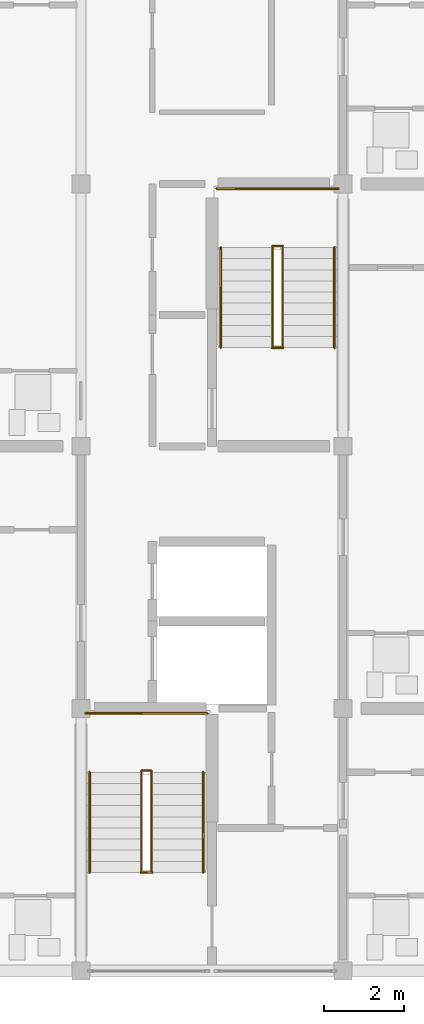
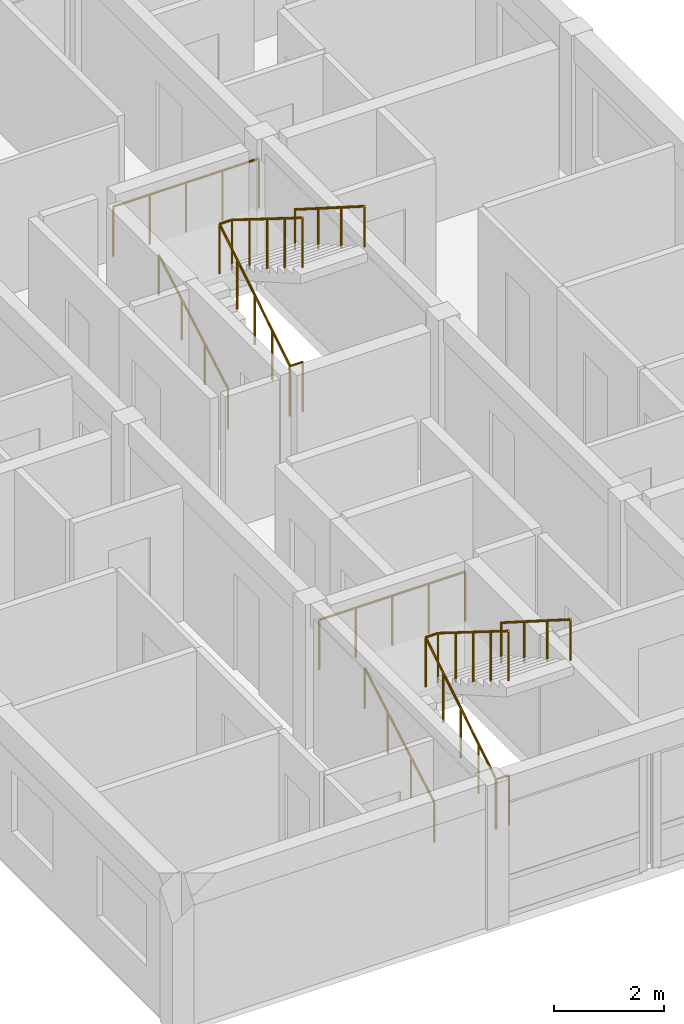
# One storey, part 41 of 45: 10 railings.
"""IFC4 building model written with IfcOpenShell, lengths in metres."""

import ifcopenshell
import ifcopenshell.guid

model = None  # the IFC model being written
_history = None  # IfcOwnerHistory: only IFC2X3 demands one
_inside = {}  # id of a spatial element -> (the spatial element, [elements in it])
_under = {}  # id of a project, library or spatial element -> (it, [spatial elements below it])
_declared = {}  # id of a project -> (the project, [libraries it declares])
_typed = {}  # id of a type object -> (the type object, [elements of that type])
_made_of = {}  # id of a material, layer set ... -> (it, [elements and type objects made of it])


def new_model(schema):
    """Start an empty IFC model of exactly this schema.

    Asked for "IFC4X3", IfcOpenShell would pick the latest addendum, in which some entities
    have other attributes; the version numbers below select the first issue.
    IFC2X3 requires an IfcOwnerHistory on every rooted entity: one is made here for all.
    """
    global model, _history
    if schema == "IFC4X3":
        model = ifcopenshell.file(schema_version=(4, 3, 0, 0))
    else:
        model = ifcopenshell.file(schema=schema)
    _inside.clear()
    _under.clear()
    _declared.clear()
    _typed.clear()
    _made_of.clear()
    _history = None
    if model.schema == "IFC2X3":
        org = make("IfcOrganization", Name="unknown")
        user = make(
            "IfcPersonAndOrganization",
            ThePerson=make("IfcPerson", FamilyName="unknown"),
            TheOrganization=org,
        )
        app = make(
            "IfcApplication",
            ApplicationDeveloper=org,
            Version="unknown",
            ApplicationFullName="unknown",
            ApplicationIdentifier="unknown",
        )
        _history = make(
            "IfcOwnerHistory",
            OwningUser=user,
            OwningApplication=app,
            ChangeAction="ADDED",
            CreationDate=0,
        )
    return model


def make(cls, **values):
    """One entity of the class cls with the attributes given. An attribute that is None is left unset."""
    return model.create_entity(
        cls, **{name: value for name, value in values.items() if value is not None}
    )


def rooted(cls, **values):
    """An entity with a GlobalId (a new one), such as an element, a storey or a relation."""
    return make(cls, GlobalId=ifcopenshell.guid.new(), OwnerHistory=_history, **values)


def si_unit(unit_type, name, prefix=None):
    """IfcSIUnit, for example si_unit("LENGTHUNIT", "METRE", prefix="MILLI")."""
    return make("IfcSIUnit", UnitType=unit_type, Prefix=prefix, Name=name)


def assignment(units):
    """IfcUnitAssignment: the units of a project."""
    return None if units is None else make("IfcUnitAssignment", Units=units)


def point(xyz):
    """IfcCartesianPoint."""
    return None if xyz is None else make("IfcCartesianPoint", Coordinates=xyz)


def direction(xyz):
    """IfcDirection."""
    return None if xyz is None else make("IfcDirection", DirectionRatios=xyz)


def frame(location, z_axis=None, x_axis=None):
    """IfcAxis2Placement3D, a coordinate frame: its origin and axes. An axis left out is left unset."""
    return make(
        "IfcAxis2Placement3D",
        Location=point(location),
        Axis=direction(z_axis),
        RefDirection=direction(x_axis),
    )


def frame_2d(location, x_axis=None):
    """IfcAxis2Placement2D, a coordinate frame in the plane: its origin and x axis."""
    return make(
        "IfcAxis2Placement2D", Location=point(location), RefDirection=direction(x_axis)
    )


def origin():
    """The frame at (0, 0, 0) with its axes left unset."""
    return frame((0.0, 0.0, 0.0))


def origin_2d():
    """The frame at (0, 0) in the plane with its x axis left unset."""
    return frame_2d((0.0, 0.0))


def place(relative_to, where):
    """IfcLocalPlacement: puts the frame where relative to a parent placement (None: the world)."""
    return make(
        "IfcLocalPlacement", PlacementRelTo=relative_to, RelativePlacement=where
    )


def context(
    kind, dimensions, precision=None, world=None, true_north=None, identifier=None
):
    """IfcGeometricRepresentationContext, for example the 3D "Model" context."""
    return make(
        "IfcGeometricRepresentationContext",
        ContextIdentifier=identifier,
        ContextType=kind,
        CoordinateSpaceDimension=dimensions,
        Precision=precision,
        WorldCoordinateSystem=world,
        TrueNorth=true_north,
    )


def subcontext(parent, identifier, kind, view, scale=None):
    """IfcGeometricRepresentationSubContext, for example "Body" below "Model"."""
    return make(
        "IfcGeometricRepresentationSubContext",
        ContextIdentifier=identifier,
        ContextType=kind,
        ParentContext=parent,
        TargetScale=scale,
        TargetView=view,
    )


def project(units=None, contexts=None):
    """IfcProject with its units and contexts."""
    return rooted(
        "IfcProject",
        Name="project",
        RepresentationContexts=contexts,
        UnitsInContext=assignment(units),
    )


def spatial(cls, under=None, at=None, **own):
    """A site, building, storey or space (cls), placed at a placement, below another one or the project."""
    s = rooted(cls, ObjectPlacement=at, **own)
    if under is not None:
        _under.setdefault(under.id(), (under, []))[1].append(s)
    return s


def profile(cls, at=None, kind="AREA", **sizes):
    """A parametric profile (cls). Its sizes go by their IFC names, for example OverallWidth=200.0."""
    return make(cls, ProfileType=kind, Position=at, **sizes)


def circle(**sizes):
    """IfcCircleProfileDef."""
    return profile("IfcCircleProfileDef", **sizes)


def extrude(swept, where, along, depth):
    """IfcExtrudedAreaSolid: the profile swept, set in the frame where, extruded along a direction by depth."""
    return make(
        "IfcExtrudedAreaSolid",
        SweptArea=swept,
        Position=where,
        ExtrudedDirection=direction(along),
        Depth=depth,
    )


def shape(context_of_items, identifier, shape_type, items):
    """IfcShapeRepresentation: the items that make up one representation, for example the "Body"."""
    return make(
        "IfcShapeRepresentation",
        ContextOfItems=context_of_items,
        RepresentationIdentifier=identifier,
        RepresentationType=shape_type,
        Items=items,
    )


def material(Name=None, Category=None):
    """IfcMaterial."""
    return make("IfcMaterial", Name=Name, Category=Category)


def made_of(thing, what):
    """Note that an element or type object is made of a material, layer set ...; save() writes the relation."""
    if what is not None:
        _made_of.setdefault(what.id(), (what, []))[1].append(thing)
    return thing


def type_object(cls, material=None, **own):
    """A type object (cls), such as IfcWallType, which elements share."""
    return made_of(rooted(cls, **own), material)


def element(
    cls,
    number,
    at=None,
    inside=None,
    cuts=None,
    type_object=None,
    material=None,
    context=None,
    identifier="Body",
    shape_type=None,
    held_by="IfcProductDefinitionShape",
    body=None,
    shapes=None,
    **own,
):
    """One element of the class cls, such as IfcWall. Its Tag is "e" and its number.

    at: its placement. inside: the storey or other place that contains it. cuts: it is an
    opening in that element (IfcRelVoidsElement). A single representation is given by context,
    identifier, shape_type and body (its items); several are given by shapes. held_by: the class
    of the entity that holds the representations. save() writes the other relations.
    """
    e = rooted(cls, Tag="e%d" % number, ObjectPlacement=at, **own)
    if body is not None:
        shapes = [shape(context, identifier, shape_type, body)]
    if shapes is not None:
        e.Representation = make(held_by, Representations=shapes)
    if inside is not None:
        _inside.setdefault(inside.id(), (inside, []))[1].append(e)
    if cuts is not None:
        rooted(
            "IfcRelVoidsElement", RelatingBuildingElement=cuts, RelatedOpeningElement=e
        )
    if type_object is not None:
        _typed.setdefault(type_object.id(), (type_object, []))[1].append(e)
    return made_of(e, material)


def aggregate(whole, parts):
    """IfcRelAggregates: a whole, such as a stair, and the parts it consists of."""
    return rooted("IfcRelAggregates", RelatingObject=whole, RelatedObjects=parts)


def save(model, path):
    """Write the relations noted so far, then the file.

    IfcRelAggregates (storeys below a building ...), IfcRelContainedInSpatialStructure (elements
    in a storey), IfcRelDefinesByType, IfcRelAssociatesMaterial and IfcRelDeclares: one each for
    every whole, place, type object, material and project.
    """
    for whole, parts in _under.values():
        aggregate(whole, parts)
    for where, things in _inside.values():
        rooted(
            "IfcRelContainedInSpatialStructure",
            RelatedElements=things,
            RelatingStructure=where,
        )
    for kind, things in _typed.values():
        rooted("IfcRelDefinesByType", RelatedObjects=things, RelatingType=kind)
    for what, things in _made_of.values():
        rooted("IfcRelAssociatesMaterial", RelatedObjects=things, RelatingMaterial=what)
    for by, libraries in _declared.values():
        rooted("IfcRelDeclares", RelatingContext=by, RelatedDefinitions=libraries)
    model.write(path)


model = new_model("IFC4")

# Units and contexts
model_context = context("Model", 3, precision=1e-05, world=origin(), true_north=direction((0.0, 1.0)))
body_context = subcontext(model_context, "Body", "Model", "MODEL_VIEW")
ifc_project = project(units=[si_unit("LENGTHUNIT", "METRE"), si_unit("AREAUNIT", "SQUARE_METRE"), si_unit("VOLUMEUNIT", "CUBIC_METRE"), si_unit("PLANEANGLEUNIT", "RADIAN"), si_unit("MASSUNIT", "GRAM", prefix="KILO")], contexts=[model_context])

# Site, building, storey
site_placement = place(None, origin())
site = spatial("IfcSite", under=ifc_project, at=site_placement, CompositionType="ELEMENT")
building_placement = place(site_placement, origin())
building = spatial("IfcBuilding", under=site, at=building_placement, Name="Kernevlak Ridge Housing Community", CompositionType="ELEMENT")
storey_placement = place(building_placement, frame((0.0, 0.0, 14.800048828125)))
storey = spatial("IfcBuildingStorey", under=building, at=storey_placement, Name="L04", CompositionType="ELEMENT", Elevation=14.800048828125)

# Railings
ifc_material_1 = material(Name="Steel S355", Category="steel")
railing_type_1 = type_object("IfcRailingType", Name="GR-02", PredefinedType="GUARDRAIL", material=ifc_material_1)
railing_1_placement = place(storey_placement, frame((134.110107421875, 18.080078125, 0.0)))
element("IfcRailing", 1, at=railing_1_placement, inside=storey, type_object=railing_type_1, Name="Stair ST-C1 L04 well slot guard", PredefinedType="GUARDRAIL", context=body_context, shape_type="SweptSolid", body=[
    extrude(circle(Radius=0.02392578125, at=origin_2d()), frame((0.0, 0.0, 1.09619140625), z_axis=(1.0, 0.0, 0.0), x_axis=(0.0, 1.0, 0.0)), (0.0, 0.0, 1.0), 0.27978515625),
    extrude(circle(Radius=0.02099609375, at=origin_2d()), origin(), (0.0, 0.0, 1.0), 1.072021484375),
    extrude(circle(Radius=0.02099609375, at=origin_2d()), frame((0.27978515625, 0.0, 0.0)), (0.0, 0.0, 1.0), 1.072021484375),
])
railing_2_placement = place(storey_placement, frame((134.1201171875, 18.080078125, 0.0)))
element("IfcRailing", 2, at=railing_2_placement, inside=storey, type_object=railing_type_1, Name="Stair ST-C1 L04 inner well guardrail", PredefinedType="GUARDRAIL", context=body_context, shape_type="SweptSolid", body=[
    extrude(circle(Radius=0.02392578125, at=origin_2d()), frame((0.0, 0.0, 1.09619140625), z_axis=(0.0, 0.848002847666, 0.529991670077), x_axis=(-1.0, 0.0, 0.0)), (0.0, 0.0, 1.0), 3.0185546875),
    extrude(circle(Radius=0.02392578125, at=origin_2d()), frame((0.0, 2.559814453125, 2.69580078125), z_axis=(1.0, 0.0, 0.0), x_axis=(0.0, 1.0, 0.0)), (0.0, 0.0, 1.0), 0.259765625),
    extrude(circle(Radius=0.02392578125, at=origin_2d()), frame((0.259765625, 2.559814453125, 2.69580078125), z_axis=(0.0, -0.847966497998, 0.530049826217), x_axis=(1.0, 0.0, 0.0)), (0.0, 0.0, 1.0), 3.018798828125),
    extrude(circle(Radius=0.02099609375, at=origin_2d()), origin(), (0.0, 0.0, 1.0), 1.072021484375),
    extrude(circle(Radius=0.02099609375, at=origin_2d()), frame((0.0, 0.639892578125, 0.39990234375)), (0.0, 0.0, 1.0), 1.072021484375),
    extrude(circle(Radius=0.02099609375, at=origin_2d()), frame((0.0, 1.27978515625, 0.7998046875)), (0.0, 0.0, 1.0), 1.072021484375),
    extrude(circle(Radius=0.02099609375, at=origin_2d()), frame((0.0, 1.919921875, 1.199951171875)), (0.0, 0.0, 1.0), 1.072021484375),
    extrude(circle(Radius=0.02099609375, at=origin_2d()), frame((0.0, 2.559814453125, 1.599853515625)), (0.0, 0.0, 1.0), 1.072021484375),
    extrude(circle(Radius=0.02099609375, at=origin_2d()), frame((0.259765625, 2.559814453125, 1.599853515625)), (0.0, 0.0, 1.0), 1.072021484375),
    extrude(circle(Radius=0.02099609375, at=origin_2d()), frame((0.259765625, 1.919921875, 2.0)), (0.0, 0.0, 1.0), 1.072021484375),
    extrude(circle(Radius=0.02099609375, at=origin_2d()), frame((0.259765625, 1.27978515625, 2.39990234375)), (0.0, 0.0, 1.0), 1.072021484375),
    extrude(circle(Radius=0.02099609375, at=origin_2d()), frame((0.259765625, 0.639892578125, 2.7998046875)), (0.0, 0.0, 1.0), 1.072021484375),
    extrude(circle(Radius=0.02099609375, at=origin_2d()), frame((0.259765625, 0.0, 3.199951171875)), (0.0, 0.0, 1.0), 1.072021484375),
])
railing_3_placement = place(storey_placement, frame((132.719970703125, 22.080078125, 1.599853515625)))
element("IfcRailing", 3, at=railing_3_placement, inside=storey, type_object=railing_type_1, Name="Stair ST-C1 L04 half-landing guard", PredefinedType="GUARDRAIL", context=body_context, shape_type="SweptSolid", body=[
    extrude(circle(Radius=0.02392578125, at=origin_2d()), frame((0.0, 0.0, 1.09619140625), z_axis=(1.0, 0.0, 0.0), x_axis=(0.0, 1.0, 0.0)), (0.0, 0.0, 1.0), 3.06005859375),
    extrude(circle(Radius=0.02099609375, at=origin_2d()), origin(), (0.0, 0.0, 1.0), 1.072021484375),
    extrude(circle(Radius=0.02099609375, at=origin_2d()), frame((0.76513671875, 0.0, 0.0)), (0.0, 0.0, 1.0), 1.072021484375),
    extrude(circle(Radius=0.02099609375, at=origin_2d()), frame((1.530029296875, 0.0, 0.0)), (0.0, 0.0, 1.0), 1.072021484375),
    extrude(circle(Radius=0.02099609375, at=origin_2d()), frame((2.294921875, 0.0, 0.0)), (0.0, 0.0, 1.0), 1.072021484375),
    extrude(circle(Radius=0.02099609375, at=origin_2d()), frame((3.06005859375, 0.0, 0.0)), (0.0, 0.0, 1.0), 1.072021484375),
])
railing_4_placement = place(storey_placement, frame((137.409912109375, 31.280029296875, 0.0)))
element("IfcRailing", 4, at=railing_4_placement, inside=storey, type_object=railing_type_1, Name="Stair ST-C2 L04 well slot guard", PredefinedType="GUARDRAIL", context=body_context, shape_type="SweptSolid", body=[
    extrude(circle(Radius=0.02392578125, at=origin_2d()), frame((0.0, 0.0, 1.09619140625), z_axis=(1.0, 0.0, 0.0), x_axis=(0.0, 1.0, 0.0)), (0.0, 0.0, 1.0), 0.280029296875),
    extrude(circle(Radius=0.02099609375, at=origin_2d()), origin(), (0.0, 0.0, 1.0), 1.072021484375),
    extrude(circle(Radius=0.02099609375, at=origin_2d()), frame((0.280029296875, 0.0, 0.0)), (0.0, 0.0, 1.0), 1.072021484375),
])
railing_5_placement = place(storey_placement, frame((137.419921875, 31.280029296875, 0.0)))
element("IfcRailing", 5, at=railing_5_placement, inside=storey, type_object=railing_type_1, Name="Stair ST-C2 L04 inner well guardrail", PredefinedType="GUARDRAIL", context=body_context, shape_type="SweptSolid", body=[
    extrude(circle(Radius=0.02392578125, at=origin_2d()), frame((0.0, 0.0, 1.09619140625), z_axis=(0.0, 0.848025563165, 0.529955322851), x_axis=(-1.0, 0.0, 0.0)), (0.0, 0.0, 1.0), 3.018798828125),
    extrude(circle(Radius=0.02392578125, at=origin_2d()), frame((0.0, 2.56005859375, 2.69580078125), z_axis=(1.0, 0.0, 0.0), x_axis=(0.0, 1.0, 0.0)), (0.0, 0.0, 1.0), 0.260009765625),
    extrude(circle(Radius=0.02392578125, at=origin_2d()), frame((0.260009765625, 2.56005859375, 2.69580078125), z_axis=(0.0, -0.847989217509, 0.530013478119), x_axis=(1.0, 0.0, 0.0)), (0.0, 0.0, 1.0), 3.01904296875),
    extrude(circle(Radius=0.02099609375, at=origin_2d()), origin(), (0.0, 0.0, 1.0), 1.072021484375),
    extrude(circle(Radius=0.02099609375, at=origin_2d()), frame((0.0, 0.64013671875, 0.39990234375)), (0.0, 0.0, 1.0), 1.072021484375),
    extrude(circle(Radius=0.02099609375, at=origin_2d()), frame((0.0, 1.280029296875, 0.7998046875)), (0.0, 0.0, 1.0), 1.072021484375),
    extrude(circle(Radius=0.02099609375, at=origin_2d()), frame((0.0, 1.919921875, 1.199951171875)), (0.0, 0.0, 1.0), 1.072021484375),
    extrude(circle(Radius=0.02099609375, at=origin_2d()), frame((0.0, 2.56005859375, 1.599853515625)), (0.0, 0.0, 1.0), 1.072021484375),
    extrude(circle(Radius=0.02099609375, at=origin_2d()), frame((0.260009765625, 2.56005859375, 1.599853515625)), (0.0, 0.0, 1.0), 1.072021484375),
    extrude(circle(Radius=0.02099609375, at=origin_2d()), frame((0.260009765625, 1.919921875, 2.0)), (0.0, 0.0, 1.0), 1.072021484375),
    extrude(circle(Radius=0.02099609375, at=origin_2d()), frame((0.260009765625, 1.280029296875, 2.39990234375)), (0.0, 0.0, 1.0), 1.072021484375),
    extrude(circle(Radius=0.02099609375, at=origin_2d()), frame((0.260009765625, 0.64013671875, 2.7998046875)), (0.0, 0.0, 1.0), 1.072021484375),
    extrude(circle(Radius=0.02099609375, at=origin_2d()), frame((0.260009765625, 0.0, 3.199951171875)), (0.0, 0.0, 1.0), 1.072021484375),
])
railing_6_placement = place(storey_placement, frame((136.02001953125, 35.280029296875, 1.599853515625)))
element("IfcRailing", 6, at=railing_6_placement, inside=storey, type_object=railing_type_1, Name="Stair ST-C2 L04 half-landing guard", PredefinedType="GUARDRAIL", context=body_context, shape_type="SweptSolid", body=[
    extrude(circle(Radius=0.02392578125, at=origin_2d()), frame((0.0, 0.0, 1.09619140625), z_axis=(1.0, 0.0, 0.0), x_axis=(0.0, 1.0, 0.0)), (0.0, 0.0, 1.0), 3.06005859375),
    extrude(circle(Radius=0.02099609375, at=origin_2d()), origin(), (0.0, 0.0, 1.0), 1.072021484375),
    extrude(circle(Radius=0.02099609375, at=origin_2d()), frame((0.76513671875, 0.0, 0.0)), (0.0, 0.0, 1.0), 1.072021484375),
    extrude(circle(Radius=0.02099609375, at=origin_2d()), frame((1.530029296875, 0.0, 0.0)), (0.0, 0.0, 1.0), 1.072021484375),
    extrude(circle(Radius=0.02099609375, at=origin_2d()), frame((2.294921875, 0.0, 0.0)), (0.0, 0.0, 1.0), 1.072021484375),
    extrude(circle(Radius=0.02099609375, at=origin_2d()), frame((3.06005859375, 0.0, 0.0)), (0.0, 0.0, 1.0), 1.072021484375),
])
ifc_material_2 = material(Name="Stainless steel EN 1.4401", Category="steel")
railing_type_2 = type_object("IfcRailingType", Name="HR-01", PredefinedType="HANDRAIL", material=ifc_material_2)
railing_7_placement = place(storey_placement, frame((132.820068359375, 18.080078125, 0.159912109375)))
element("IfcRailing", 7, at=railing_7_placement, inside=storey, type_object=railing_type_2, Name="Stair ST-C1 L04 flight 1 handrail", PredefinedType="HANDRAIL", context=body_context, shape_type="SweptSolid", body=[
    extrude(circle(Radius=0.02392578125, at=origin_2d()), frame((0.0, 0.0, 0.89599609375), z_axis=(0.0, 0.868253494771, 0.496120820787), x_axis=(-1.0, 0.0, 0.0)), (0.0, 0.0, 1.0), 2.90234375),
    extrude(circle(Radius=0.02099609375, at=origin_2d()), origin(), (0.0, 0.0, 1.0), 0.871826171875),
    extrude(circle(Radius=0.02099609375, at=origin_2d()), frame((0.0, 0.840087890625, 0.47998046875)), (0.0, 0.0, 1.0), 0.871826171875),
    extrude(circle(Radius=0.02099609375, at=origin_2d()), frame((0.0, 1.679931640625, 0.9599609375)), (0.0, 0.0, 1.0), 0.871826171875),
    extrude(circle(Radius=0.02099609375, at=origin_2d()), frame((0.0, 2.52001953125, 1.43994140625)), (0.0, 0.0, 1.0), 0.871826171875),
])
railing_8_placement = place(storey_placement, frame((135.679931640625, 20.60009765625, 1.599853515625)))
element("IfcRailing", 8, at=railing_8_placement, inside=storey, type_object=railing_type_2, Name="Stair ST-C1 L04 flight 2 handrail", PredefinedType="HANDRAIL", context=body_context, shape_type="SweptSolid", body=[
    extrude(circle(Radius=0.02392578125, at=origin_2d()), frame((0.0, 0.0, 0.89599609375), z_axis=(0.0, -0.844199891302, 0.536028491338), x_axis=(1.0, 0.0, 0.0)), (0.0, 0.0, 1.0), 2.985107421875),
    extrude(circle(Radius=0.02099609375, at=origin_2d()), origin(), (0.0, 0.0, 1.0), 0.871826171875),
    extrude(circle(Radius=0.02099609375, at=origin_2d()), frame((0.0, -0.840087890625, 0.533447265625)), (0.0, 0.0, 1.0), 0.871826171875),
    extrude(circle(Radius=0.02099609375, at=origin_2d()), frame((0.0, -1.679931640625, 1.066650390625)), (0.0, 0.0, 1.0), 0.871826171875),
    extrude(circle(Radius=0.02099609375, at=origin_2d()), frame((0.0, -2.52001953125, 1.60009765625)), (0.0, 0.0, 1.0), 0.871826171875),
])
railing_9_placement = place(storey_placement, frame((136.1201171875, 31.280029296875, 0.159912109375)))
element("IfcRailing", 9, at=railing_9_placement, inside=storey, type_object=railing_type_2, Name="Stair ST-C2 L04 flight 1 handrail", PredefinedType="HANDRAIL", context=body_context, shape_type="SweptSolid", body=[
    extrude(circle(Radius=0.02392578125, at=origin_2d()), frame((0.0, 0.0, 0.89599609375), z_axis=(0.0, 0.868253494771, 0.496120820787), x_axis=(-1.0, 0.0, 0.0)), (0.0, 0.0, 1.0), 2.90234375),
    extrude(circle(Radius=0.02099609375, at=origin_2d()), origin(), (0.0, 0.0, 1.0), 0.871826171875),
    extrude(circle(Radius=0.02099609375, at=origin_2d()), frame((0.0, 0.840087890625, 0.47998046875)), (0.0, 0.0, 1.0), 0.871826171875),
    extrude(circle(Radius=0.02099609375, at=origin_2d()), frame((0.0, 1.679931640625, 0.9599609375)), (0.0, 0.0, 1.0), 0.871826171875),
    extrude(circle(Radius=0.02099609375, at=origin_2d()), frame((0.0, 2.52001953125, 1.43994140625)), (0.0, 0.0, 1.0), 0.871826171875),
])
railing_10_placement = place(storey_placement, frame((138.97998046875, 33.800048828125, 1.599853515625)))
element("IfcRailing", 10, at=railing_10_placement, inside=storey, type_object=railing_type_2, Name="Stair ST-C2 L04 flight 2 handrail", PredefinedType="HANDRAIL", context=body_context, shape_type="SweptSolid", body=[
    extrude(circle(Radius=0.02392578125, at=origin_2d()), frame((0.0, 0.0, 0.89599609375), z_axis=(0.0, -0.844199891302, 0.536028491338), x_axis=(1.0, 0.0, 0.0)), (0.0, 0.0, 1.0), 2.985107421875),
    extrude(circle(Radius=0.02099609375, at=origin_2d()), origin(), (0.0, 0.0, 1.0), 0.871826171875),
    extrude(circle(Radius=0.02099609375, at=origin_2d()), frame((0.0, -0.840087890625, 0.533447265625)), (0.0, 0.0, 1.0), 0.871826171875),
    extrude(circle(Radius=0.02099609375, at=origin_2d()), frame((0.0, -1.679931640625, 1.066650390625)), (0.0, 0.0, 1.0), 0.871826171875),
    extrude(circle(Radius=0.02099609375, at=origin_2d()), frame((0.0, -2.52001953125, 1.60009765625)), (0.0, 0.0, 1.0), 0.871826171875),
])

save(model, "model.ifc")
